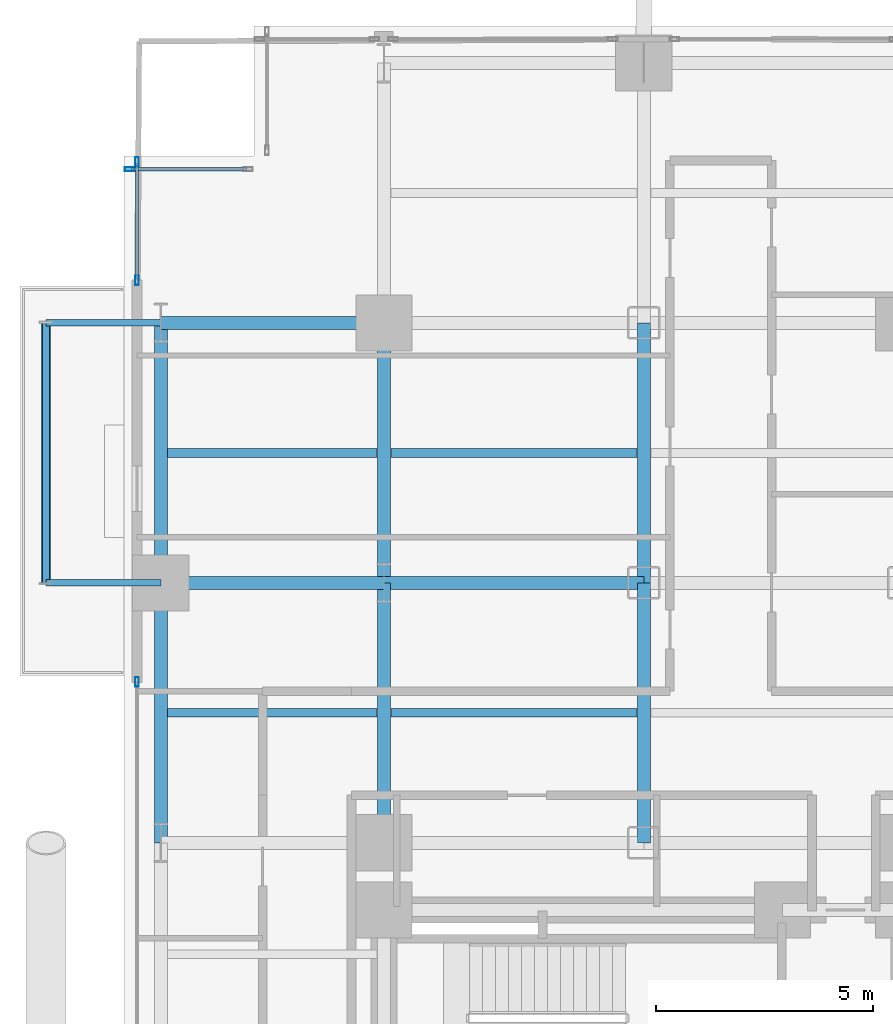
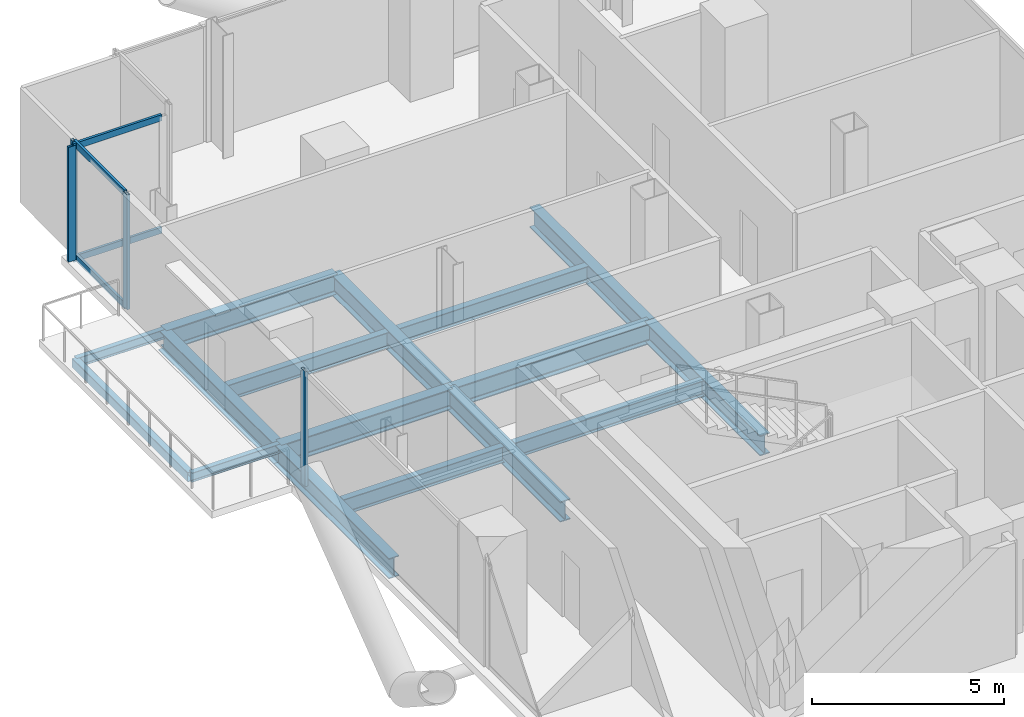
# One storey, part 13 of 27: 16 beams, 8 members, 3 elements without a shape of their own.
"""IFC4 building model written with IfcOpenShell, lengths in metres."""

import ifcopenshell
import ifcopenshell.guid

model = None  # the IFC model being written
_history = None  # IfcOwnerHistory: only IFC2X3 demands one
_inside = {}  # id of a spatial element -> (the spatial element, [elements in it])
_under = {}  # id of a project, library or spatial element -> (it, [spatial elements below it])
_declared = {}  # id of a project -> (the project, [libraries it declares])
_typed = {}  # id of a type object -> (the type object, [elements of that type])
_made_of = {}  # id of a material, layer set ... -> (it, [elements and type objects made of it])


def new_model(schema):
    """Start an empty IFC model of exactly this schema.

    Asked for "IFC4X3", IfcOpenShell would pick the latest addendum, in which some entities
    have other attributes; the version numbers below select the first issue.
    IFC2X3 requires an IfcOwnerHistory on every rooted entity: one is made here for all.
    """
    global model, _history
    if schema == "IFC4X3":
        model = ifcopenshell.file(schema_version=(4, 3, 0, 0))
    else:
        model = ifcopenshell.file(schema=schema)
    _inside.clear()
    _under.clear()
    _declared.clear()
    _typed.clear()
    _made_of.clear()
    _history = None
    if model.schema == "IFC2X3":
        org = make("IfcOrganization", Name="unknown")
        user = make(
            "IfcPersonAndOrganization",
            ThePerson=make("IfcPerson", FamilyName="unknown"),
            TheOrganization=org,
        )
        app = make(
            "IfcApplication",
            ApplicationDeveloper=org,
            Version="unknown",
            ApplicationFullName="unknown",
            ApplicationIdentifier="unknown",
        )
        _history = make(
            "IfcOwnerHistory",
            OwningUser=user,
            OwningApplication=app,
            ChangeAction="ADDED",
            CreationDate=0,
        )
    return model


def make(cls, **values):
    """One entity of the class cls with the attributes given. An attribute that is None is left unset."""
    return model.create_entity(
        cls, **{name: value for name, value in values.items() if value is not None}
    )


def rooted(cls, **values):
    """An entity with a GlobalId (a new one), such as an element, a storey or a relation."""
    return make(cls, GlobalId=ifcopenshell.guid.new(), OwnerHistory=_history, **values)


def si_unit(unit_type, name, prefix=None):
    """IfcSIUnit, for example si_unit("LENGTHUNIT", "METRE", prefix="MILLI")."""
    return make("IfcSIUnit", UnitType=unit_type, Prefix=prefix, Name=name)


def assignment(units):
    """IfcUnitAssignment: the units of a project."""
    return None if units is None else make("IfcUnitAssignment", Units=units)


def point(xyz):
    """IfcCartesianPoint."""
    return None if xyz is None else make("IfcCartesianPoint", Coordinates=xyz)


def direction(xyz):
    """IfcDirection."""
    return None if xyz is None else make("IfcDirection", DirectionRatios=xyz)


def frame(location, z_axis=None, x_axis=None):
    """IfcAxis2Placement3D, a coordinate frame: its origin and axes. An axis left out is left unset."""
    return make(
        "IfcAxis2Placement3D",
        Location=point(location),
        Axis=direction(z_axis),
        RefDirection=direction(x_axis),
    )


def frame_2d(location, x_axis=None):
    """IfcAxis2Placement2D, a coordinate frame in the plane: its origin and x axis."""
    return make(
        "IfcAxis2Placement2D", Location=point(location), RefDirection=direction(x_axis)
    )


def origin():
    """The frame at (0, 0, 0) with its axes left unset."""
    return frame((0.0, 0.0, 0.0))


def origin_2d():
    """The frame at (0, 0) in the plane with its x axis left unset."""
    return frame_2d((0.0, 0.0))


def place(relative_to, where):
    """IfcLocalPlacement: puts the frame where relative to a parent placement (None: the world)."""
    return make(
        "IfcLocalPlacement", PlacementRelTo=relative_to, RelativePlacement=where
    )


def context(
    kind, dimensions, precision=None, world=None, true_north=None, identifier=None
):
    """IfcGeometricRepresentationContext, for example the 3D "Model" context."""
    return make(
        "IfcGeometricRepresentationContext",
        ContextIdentifier=identifier,
        ContextType=kind,
        CoordinateSpaceDimension=dimensions,
        Precision=precision,
        WorldCoordinateSystem=world,
        TrueNorth=true_north,
    )


def subcontext(parent, identifier, kind, view, scale=None):
    """IfcGeometricRepresentationSubContext, for example "Body" below "Model"."""
    return make(
        "IfcGeometricRepresentationSubContext",
        ContextIdentifier=identifier,
        ContextType=kind,
        ParentContext=parent,
        TargetScale=scale,
        TargetView=view,
    )


def project(units=None, contexts=None):
    """IfcProject with its units and contexts."""
    return rooted(
        "IfcProject",
        Name="project",
        RepresentationContexts=contexts,
        UnitsInContext=assignment(units),
    )


def spatial(cls, under=None, at=None, **own):
    """A site, building, storey or space (cls), placed at a placement, below another one or the project."""
    s = rooted(cls, ObjectPlacement=at, **own)
    if under is not None:
        _under.setdefault(under.id(), (under, []))[1].append(s)
    return s


def profile(cls, at=None, kind="AREA", **sizes):
    """A parametric profile (cls). Its sizes go by their IFC names, for example OverallWidth=200.0."""
    return make(cls, ProfileType=kind, Position=at, **sizes)


def hollow_rectangle(**sizes):
    """IfcRectangleHollowProfileDef."""
    return profile("IfcRectangleHollowProfileDef", **sizes)


def i_section(**sizes):
    """IfcIShapeProfileDef."""
    return profile("IfcIShapeProfileDef", **sizes)


def extrude(swept, where, along, depth):
    """IfcExtrudedAreaSolid: the profile swept, set in the frame where, extruded along a direction by depth."""
    return make(
        "IfcExtrudedAreaSolid",
        SweptArea=swept,
        Position=where,
        ExtrudedDirection=direction(along),
        Depth=depth,
    )


def shape(context_of_items, identifier, shape_type, items):
    """IfcShapeRepresentation: the items that make up one representation, for example the "Body"."""
    return make(
        "IfcShapeRepresentation",
        ContextOfItems=context_of_items,
        RepresentationIdentifier=identifier,
        RepresentationType=shape_type,
        Items=items,
    )


def material(Name=None, Category=None):
    """IfcMaterial."""
    return make("IfcMaterial", Name=Name, Category=Category)


def layer(
    of_material, thickness, ventilated=None, Name=None, Category=None, Priority=None
):
    """IfcMaterialLayer: one layer of a wall or slab, of a material (None: an air gap)."""
    return make(
        "IfcMaterialLayer",
        Material=of_material,
        LayerThickness=thickness,
        IsVentilated=ventilated,
        Name=Name,
        Category=Category,
        Priority=Priority,
    )


def layer_set(layers, Name=None):
    """IfcMaterialLayerSet."""
    return make("IfcMaterialLayerSet", MaterialLayers=layers, LayerSetName=Name)


def material_profile(
    of_material, cross_section, Name=None, Category=None, Priority=None
):
    """IfcMaterialProfile: a cross section and its material."""
    return make(
        "IfcMaterialProfile",
        Name=Name,
        Material=of_material,
        Profile=cross_section,
        Priority=Priority,
        Category=Category,
    )


def profile_set(profiles, Name=None, composite=None):
    """IfcMaterialProfileSet."""
    return make(
        "IfcMaterialProfileSet",
        Name=Name,
        MaterialProfiles=profiles,
        CompositeProfile=composite,
    )


def made_of(thing, what):
    """Note that an element or type object is made of a material, layer set ...; save() writes the relation."""
    if what is not None:
        _made_of.setdefault(what.id(), (what, []))[1].append(thing)
    return thing


def type_object(cls, material=None, **own):
    """A type object (cls), such as IfcWallType, which elements share."""
    return made_of(rooted(cls, **own), material)


def element(
    cls,
    number,
    at=None,
    inside=None,
    cuts=None,
    type_object=None,
    material=None,
    context=None,
    identifier="Body",
    shape_type=None,
    held_by="IfcProductDefinitionShape",
    body=None,
    shapes=None,
    **own,
):
    """One element of the class cls, such as IfcWall. Its Tag is "e" and its number.

    at: its placement. inside: the storey or other place that contains it. cuts: it is an
    opening in that element (IfcRelVoidsElement). A single representation is given by context,
    identifier, shape_type and body (its items); several are given by shapes. held_by: the class
    of the entity that holds the representations. save() writes the other relations.
    """
    e = rooted(cls, Tag="e%d" % number, ObjectPlacement=at, **own)
    if body is not None:
        shapes = [shape(context, identifier, shape_type, body)]
    if shapes is not None:
        e.Representation = make(held_by, Representations=shapes)
    if inside is not None:
        _inside.setdefault(inside.id(), (inside, []))[1].append(e)
    if cuts is not None:
        rooted(
            "IfcRelVoidsElement", RelatingBuildingElement=cuts, RelatedOpeningElement=e
        )
    if type_object is not None:
        _typed.setdefault(type_object.id(), (type_object, []))[1].append(e)
    return made_of(e, material)


def aggregate(whole, parts):
    """IfcRelAggregates: a whole, such as a stair, and the parts it consists of."""
    return rooted("IfcRelAggregates", RelatingObject=whole, RelatedObjects=parts)


def save(model, path):
    """Write the relations noted so far, then the file.

    IfcRelAggregates (storeys below a building ...), IfcRelContainedInSpatialStructure (elements
    in a storey), IfcRelDefinesByType, IfcRelAssociatesMaterial and IfcRelDeclares: one each for
    every whole, place, type object, material and project.
    """
    for whole, parts in _under.values():
        aggregate(whole, parts)
    for where, things in _inside.values():
        rooted(
            "IfcRelContainedInSpatialStructure",
            RelatedElements=things,
            RelatingStructure=where,
        )
    for kind, things in _typed.values():
        rooted("IfcRelDefinesByType", RelatedObjects=things, RelatingType=kind)
    for what, things in _made_of.values():
        rooted("IfcRelAssociatesMaterial", RelatedObjects=things, RelatingMaterial=what)
    for by, libraries in _declared.values():
        rooted("IfcRelDeclares", RelatingContext=by, RelatedDefinitions=libraries)
    model.write(path)


model = new_model("IFC4")

# Units and contexts
model_context = context("Model", 3, precision=1e-05, world=origin(), true_north=direction((0.0, 1.0)))
body_context = subcontext(model_context, "Body", "Model", "MODEL_VIEW")
ifc_project = project(units=[si_unit("LENGTHUNIT", "METRE"), si_unit("AREAUNIT", "SQUARE_METRE"), si_unit("VOLUMEUNIT", "CUBIC_METRE"), si_unit("PLANEANGLEUNIT", "RADIAN"), si_unit("MASSUNIT", "GRAM", prefix="KILO"), si_unit("THERMODYNAMICTEMPERATUREUNIT", "KELVIN"), si_unit("POWERUNIT", "WATT")], contexts=[model_context])

# Site, building, storey
site_placement = place(None, origin())
site = spatial("IfcSite", under=ifc_project, at=site_placement, CompositionType="ELEMENT")
building_placement = place(site_placement, origin())
building = spatial("IfcBuilding", under=site, at=building_placement, Name="Svarakhadi Broadcast Tower", CompositionType="ELEMENT")
storey_placement = place(building_placement, frame((0.0, 0.0, 44.10009765625)))
storey = spatial("IfcBuildingStorey", under=building, at=storey_placement, Name="L09", CompositionType="ELEMENT", Elevation=44.10009765625)

# Beams
ifc_material_1 = material(Name="Steel S355J2 (IS 2062 E350C)", Category="steel")
ifc_material_profile_1 = material_profile(ifc_material_1, i_section(OverallWidth=0.199951171875, OverallDepth=0.5, WebThickness=0.01025390625, FlangeThickness=0.01611328125, FilletRadius=0.02099609375, at=origin_2d()), Name="NPB 500x200x91")
ifc_profile_set_1 = profile_set([ifc_material_profile_1], Name="Steel S355J2 (IS 2062 E350C)")
beam_type_1 = type_object("IfcBeamType", Name="Beam_NPB500", PredefinedType="BEAM", material=ifc_profile_set_1)
for number, where, z_axis, x_axis, name in (
    (1, (1.010009765625, 32.14990234375, -0.5), (1.0, 0.0, 0.0), (0.0, 1.0, 0.0), "L09 Secondary Composite Beam SB005"),
    (2, (1.010009765625, 38.14990234375, -0.5), (1.0, 0.0, 0.0), (0.0, 1.0, 0.0), "L09 Secondary Composite Beam SB006"),
):
    element("IfcBeam", number, at=place(storey_placement, frame(where, z_axis=z_axis, x_axis=x_axis)), inside=storey, type_object=beam_type_1, Name=name, PredefinedType="BEAM", context=body_context, shape_type="SweptSolid", body=[
        extrude(i_section(OverallWidth=0.199951171875, OverallDepth=0.5, WebThickness=0.01025390625, FlangeThickness=0.01611328125, FilletRadius=0.02099609375, at=origin_2d()), origin(), (0.0, 0.0, 1.0), 4.830078125),
    ])
for number, where, z_axis, x_axis, name in (
    (3, (6.159912109375, 32.14990234375, -0.5), (1.0, 0.0, 0.0), (0.0, 1.0, 0.0), "L09 Secondary Composite Beam SB010"),
    (4, (6.159912109375, 38.14990234375, -0.5), (1.0, 0.0, 0.0), (0.0, 1.0, 0.0), "L09 Secondary Composite Beam SB011"),
):
    element("IfcBeam", number, at=place(storey_placement, frame(where, z_axis=z_axis, x_axis=x_axis)), inside=storey, type_object=beam_type_1, Name=name, PredefinedType="BEAM", context=body_context, shape_type="SweptSolid", body=[
        extrude(i_section(OverallWidth=0.199951171875, OverallDepth=0.5, WebThickness=0.01025390625, FlangeThickness=0.01611328125, FilletRadius=0.02099609375, at=origin_2d()), origin(), (0.0, 0.0, 1.0), 5.68017578125),
    ])

# Curtain wall, member
ifc_material_2 = material(Name="Anodised Bronze Aluminium AA 6063-T6", Category="aluminium")
ifc_layer = layer(ifc_material_2, 0.219970703125)
ifc_layer_set = layer_set([ifc_layer], Name="Anodised Bronze Aluminium AA 6063-T6")
curtain_wall_type = type_object("IfcCurtainWallType", Name="CW_Sys_02", PredefinedType="NOTDEFINED", material=ifc_layer_set)
curtain_wall_1_placement = place(storey_placement, origin())
curtain_wall_1 = element("IfcCurtainWall", 5, at=curtain_wall_1_placement, inside=storey, type_object=curtain_wall_type, Name="L09 West Curtain Wall 02 Bay 3", PredefinedType="NOTDEFINED")
ifc_material_profile_2 = material_profile(ifc_material_2, hollow_rectangle(XDim=0.0849609375, YDim=0.219970703125, WallThickness=0.006103515625, at=origin_2d()), Name="ALU MULLION 220x85x6")
ifc_profile_set_2 = profile_set([ifc_material_profile_2], Name="Anodised Bronze Aluminium AA 6063-T6")
member_type_1 = type_object("IfcMemberType", Name="CW_Sys_02_Mul", PredefinedType="MULLION", material=ifc_profile_set_2)
member_1_placement = place(storey_placement, frame((0.300048828125, 32.867431640625, 0.0), z_axis=(0.0, 0.0, 1.0), x_axis=(-1.0, 0.0, 0.0)))
member_1 = element("IfcMember", 6, at=member_1_placement, type_object=member_type_1, Name="CW-02 mullion 2", PredefinedType="MULLION", context=body_context, shape_type="SweptSolid", body=[
    extrude(hollow_rectangle(XDim=0.0849609375, YDim=0.219970703125, WallThickness=0.006103515625, at=origin_2d()), origin(), (0.0, 0.0, 1.0), 3.64990234375),
])
aggregate(curtain_wall_1, [member_1])

# Curtain wall, members
curtain_wall_2_placement = place(storey_placement, origin())
curtain_wall_2 = element("IfcCurtainWall", 7, at=curtain_wall_2_placement, inside=storey, type_object=curtain_wall_type, Name="L09 West Curtain Wall 03", PredefinedType="NOTDEFINED")
member_2_placement = place(storey_placement, frame((0.300048828125, 42.132568359375, 0.0), z_axis=(0.0, 0.0, 1.0), x_axis=(-1.0, 0.0, 0.0)))
member_2 = element("IfcMember", 8, at=member_2_placement, type_object=member_type_1, Name="CW-02 mullion 1", PredefinedType="MULLION", context=body_context, shape_type="SweptSolid", body=[
    extrude(hollow_rectangle(XDim=0.0849609375, YDim=0.219970703125, WallThickness=0.006103515625, at=origin_2d()), origin(), (0.0, 0.0, 1.0), 3.64990234375),
])
member_3_placement = place(storey_placement, frame((0.300048828125, 44.867431640625, 0.0), z_axis=(0.0, 0.0, 1.0), x_axis=(-1.0, 0.0, 0.0)))
member_3 = element("IfcMember", 9, at=member_3_placement, type_object=member_type_1, Name="CW-02 mullion 2", PredefinedType="MULLION", context=body_context, shape_type="SweptSolid", body=[
    extrude(hollow_rectangle(XDim=0.0849609375, YDim=0.219970703125, WallThickness=0.006103515625, at=origin_2d()), origin(), (0.0, 0.0, 1.0), 3.64990234375),
])

# Curtain wall, member
curtain_wall_3_placement = place(storey_placement, origin())
curtain_wall_3 = element("IfcCurtainWall", 10, at=curtain_wall_3_placement, inside=storey, type_object=curtain_wall_type, Name="L09 Unitised Facade Curtain Wall 04", PredefinedType="NOTDEFINED")
member_4_placement = place(storey_placement, frame((0.132568359375, 44.699951171875, 0.0), z_axis=(0.0, 0.0, 1.0), x_axis=(0.0, 1.0, 0.0)))
member_4 = element("IfcMember", 11, at=member_4_placement, type_object=member_type_1, Name="CW-02 mullion 1", PredefinedType="MULLION", context=body_context, shape_type="SweptSolid", body=[
    extrude(hollow_rectangle(XDim=0.0849609375, YDim=0.219970703125, WallThickness=0.006103515625, at=origin_2d()), origin(), (0.0, 0.0, 1.0), 3.64990234375),
])

# Member
ifc_material_profile_3 = material_profile(ifc_material_2, hollow_rectangle(XDim=0.074951171875, YDim=0.199951171875, WallThickness=0.0048828125, at=origin_2d()), Name="ALU TRANSOM 200x75x5")
ifc_profile_set_3 = profile_set([ifc_material_profile_3], Name="Anodised Bronze Aluminium AA 6063-T6")
member_type_2 = type_object("IfcMemberType", Name="CW_Sys_02_Trn", PredefinedType="USERDEFINED", material=ifc_profile_set_3)
member_5_placement = place(storey_placement, frame((0.300048828125, 42.175048828125, 0.037353515625), z_axis=(0.0, 1.0, 0.0), x_axis=(-1.0, 0.0, 0.0)))
member_5 = element("IfcMember", 12, at=member_5_placement, type_object=member_type_2, Name="CW-02 transom 1.1", ObjectType="TRANSOM", PredefinedType="USERDEFINED", context=body_context, shape_type="SweptSolid", body=[
    extrude(hollow_rectangle(XDim=0.074951171875, YDim=0.199951171875, WallThickness=0.0048828125, at=origin_2d()), origin(), (0.0, 0.0, 1.0), 2.64990234375),
])

member_6_placement = place(storey_placement, frame((0.300048828125, 42.175048828125, 3.6123046875), z_axis=(0.0, 1.0, 0.0), x_axis=(-1.0, 0.0, 0.0)))
member_6 = element("IfcMember", 13, at=member_6_placement, type_object=member_type_2, Name="CW-02 transom 1.2", ObjectType="TRANSOM", PredefinedType="USERDEFINED", context=body_context, shape_type="SweptSolid", body=[
    extrude(hollow_rectangle(XDim=0.074951171875, YDim=0.199951171875, WallThickness=0.0048828125, at=origin_2d()), origin(), (0.0, 0.0, 1.0), 2.64990234375),
])

aggregate(curtain_wall_2, [member_2, member_3, member_5, member_6])

member_7_placement = place(storey_placement, frame((0.175048828125, 44.699951171875, 0.037353515625), z_axis=(1.0, 0.0, 0.0), x_axis=(0.0, 1.0, 0.0)))
member_7 = element("IfcMember", 14, at=member_7_placement, type_object=member_type_2, Name="CW-02 transom 1.1", ObjectType="TRANSOM", PredefinedType="USERDEFINED", context=body_context, shape_type="SweptSolid", body=[
    extrude(hollow_rectangle(XDim=0.074951171875, YDim=0.199951171875, WallThickness=0.0048828125, at=origin_2d()), origin(), (0.0, 0.0, 1.0), 2.64990234375),
])

member_8_placement = place(storey_placement, frame((0.175048828125, 44.699951171875, 3.6123046875), z_axis=(1.0, 0.0, 0.0), x_axis=(0.0, 1.0, 0.0)))
member_8 = element("IfcMember", 15, at=member_8_placement, type_object=member_type_2, Name="CW-02 transom 1.2", ObjectType="TRANSOM", PredefinedType="USERDEFINED", context=body_context, shape_type="SweptSolid", body=[
    extrude(hollow_rectangle(XDim=0.074951171875, YDim=0.199951171875, WallThickness=0.0048828125, at=origin_2d()), origin(), (0.0, 0.0, 1.0), 2.64990234375),
])

aggregate(curtain_wall_3, [member_4, member_7, member_8])

# Beams
ifc_material_profile_4 = material_profile(ifc_material_1, i_section(OverallWidth=0.300048828125, OverallDepth=0.64990234375, WebThickness=0.01611328125, FlangeThickness=0.031005859375, FilletRadius=0.027099609375, at=origin_2d()), Name="WPB 650x300x225")
ifc_profile_set_4 = profile_set([ifc_material_profile_4], Name="Steel S355J2 (IS 2062 E350C)")
beam_type_2 = type_object("IfcBeamType", Name="Girder_WPB650", PredefinedType="USERDEFINED", material=ifc_profile_set_4)
beam_1_placement = place(storey_placement, frame((0.85009765625, 35.14990234375, -0.5751953125), z_axis=(1.0, 0.0, 0.0), x_axis=(0.0, 1.0, 0.0)))
element("IfcBeam", 16, at=beam_1_placement, inside=storey, type_object=beam_type_2, Name="L09 Primary E-W Girder G037", ObjectType="GIRDER", PredefinedType="USERDEFINED", context=body_context, shape_type="SweptSolid", body=[
    extrude(i_section(OverallWidth=0.300048828125, OverallDepth=0.64990234375, WebThickness=0.01611328125, FlangeThickness=0.031005859375, FilletRadius=0.027099609375, at=origin_2d()), origin(), (0.0, 0.0, 1.0), 5.14990234375),
])
beam_2_placement = place(storey_placement, frame((6.0, 35.14990234375, -0.5751953125), z_axis=(1.0, 0.0, 0.0), x_axis=(0.0, 1.0, 0.0)))
element("IfcBeam", 17, at=beam_2_placement, inside=storey, type_object=beam_type_2, Name="L09 Primary E-W Girder G038", ObjectType="GIRDER", PredefinedType="USERDEFINED", context=body_context, shape_type="SweptSolid", body=[
    extrude(i_section(OverallWidth=0.300048828125, OverallDepth=0.64990234375, WebThickness=0.01611328125, FlangeThickness=0.031005859375, FilletRadius=0.027099609375, at=origin_2d()), origin(), (0.0, 0.0, 1.0), 6.0),
])
beam_3_placement = place(storey_placement, frame((0.85009765625, 41.14990234375, -0.5751953125), z_axis=(1.0, 0.0, 0.0), x_axis=(0.0, 1.0, 0.0)))
element("IfcBeam", 18, at=beam_3_placement, inside=storey, type_object=beam_type_2, Name="L09 Primary E-W Girder G040", ObjectType="GIRDER", PredefinedType="USERDEFINED", context=body_context, shape_type="SweptSolid", body=[
    extrude(i_section(OverallWidth=0.300048828125, OverallDepth=0.64990234375, WebThickness=0.01611328125, FlangeThickness=0.031005859375, FilletRadius=0.027099609375, at=origin_2d()), origin(), (0.0, 0.0, 1.0), 5.14990234375),
])
for number, where, z_axis, x_axis, name in (
    (19, (0.85009765625, 29.14990234375, -0.5751953125), (0.0, 1.0, 0.0), (-1.0, 0.0, 0.0), "L09 Primary N-S Girder G049"),
    (20, (0.85009765625, 35.14990234375, -0.5751953125), (0.0, 1.0, 0.0), (-1.0, 0.0, 0.0), "L09 Primary N-S Girder G050"),
    (21, (6.0, 29.14990234375, -0.5751953125), (0.0, 1.0, 0.0), (-1.0, 0.0, 0.0), "L09 Primary N-S Girder G055"),
    (22, (6.0, 35.14990234375, -0.5751953125), (0.0, 1.0, 0.0), (-1.0, 0.0, 0.0), "L09 Primary N-S Girder G056"),
    (23, (12.0, 29.14990234375, -0.5751953125), (0.0, 1.0, 0.0), (-1.0, 0.0, 0.0), "L09 Primary N-S Girder G061"),
    (24, (12.0, 35.14990234375, -0.5751953125), (0.0, 1.0, 0.0), (-1.0, 0.0, 0.0), "L09 Primary N-S Girder G062"),
):
    element("IfcBeam", number, at=place(storey_placement, frame(where, z_axis=z_axis, x_axis=x_axis)), inside=storey, type_object=beam_type_2, Name=name, ObjectType="GIRDER", PredefinedType="USERDEFINED", context=body_context, shape_type="SweptSolid", body=[
        extrude(i_section(OverallWidth=0.300048828125, OverallDepth=0.64990234375, WebThickness=0.01611328125, FlangeThickness=0.031005859375, FilletRadius=0.027099609375, at=origin_2d()), origin(), (0.0, 0.0, 1.0), 6.0),
    ])
ifc_material_profile_5 = material_profile(ifc_material_1, i_section(OverallWidth=0.14990234375, OverallDepth=0.300048828125, WebThickness=0.007080078125, FlangeThickness=0.0107421875, FilletRadius=0.014892578125, at=origin_2d()), Name="NPB 300x150x37")
ifc_profile_set_5 = profile_set([ifc_material_profile_5], Name="Steel S355J2 (IS 2062 E350C)")
beam_type_3 = type_object("IfcBeamType", Name="Spandrel_NPB300", PredefinedType="SPANDREL", material=ifc_profile_set_5)
for number, where, z_axis, x_axis, name in (
    (25, (0.85009765625, 35.14990234375, -0.400146484375), (-1.0, 0.0, 0.0), (0.0, -1.0, 0.0), "L09 Balcony Cantilever Bracket 2A"),
    (26, (0.85009765625, 41.14990234375, -0.400146484375), (-1.0, 0.0, 0.0), (0.0, -1.0, 0.0), "L09 Balcony Cantilever Bracket 2B"),
):
    element("IfcBeam", number, at=place(storey_placement, frame(where, z_axis=z_axis, x_axis=x_axis)), inside=storey, type_object=beam_type_3, Name=name, PredefinedType="SPANDREL", context=body_context, shape_type="SweptSolid", body=[
        extrude(i_section(OverallWidth=0.14990234375, OverallDepth=0.300048828125, WebThickness=0.007080078125, FlangeThickness=0.0107421875, FilletRadius=0.014892578125, at=origin_2d()), origin(), (0.0, 0.0, 1.0), 2.650146484375),
    ])
ifc_material_3 = material(Name="Steel S460ML (IS 2062 E450BR)", Category="steel")
ifc_material_profile_6 = material_profile(ifc_material_3, hollow_rectangle(XDim=0.199951171875, YDim=0.300048828125, WallThickness=0.012451171875, InnerFilletRadius=0.012451171875, OuterFilletRadius=0.02490234375, at=origin_2d()), Name="RHS 300x200x12.5")
ifc_profile_set_6 = profile_set([ifc_material_profile_6], Name="Steel S460ML (IS 2062 E450BR)")
beam_type_4 = type_object("IfcBeamType", Name="Spandrel_RHS300", PredefinedType="SPANDREL", material=ifc_profile_set_6)
beam_4_placement = place(storey_placement, frame((-1.800048828125, 35.14990234375, -0.400146484375), z_axis=(0.0, 1.0, 0.0), x_axis=(-1.0, 0.0, 0.0)))
element("IfcBeam", 27, at=beam_4_placement, inside=storey, type_object=beam_type_4, Name="L09 Balcony Outer Spandrel 2F", PredefinedType="SPANDREL", context=body_context, shape_type="SweptSolid", body=[
    extrude(hollow_rectangle(XDim=0.199951171875, YDim=0.300048828125, WallThickness=0.012451171875, InnerFilletRadius=0.012451171875, OuterFilletRadius=0.02490234375, at=origin_2d()), origin(), (0.0, 0.0, 1.0), 6.0),
])

save(model, "model.ifc")
